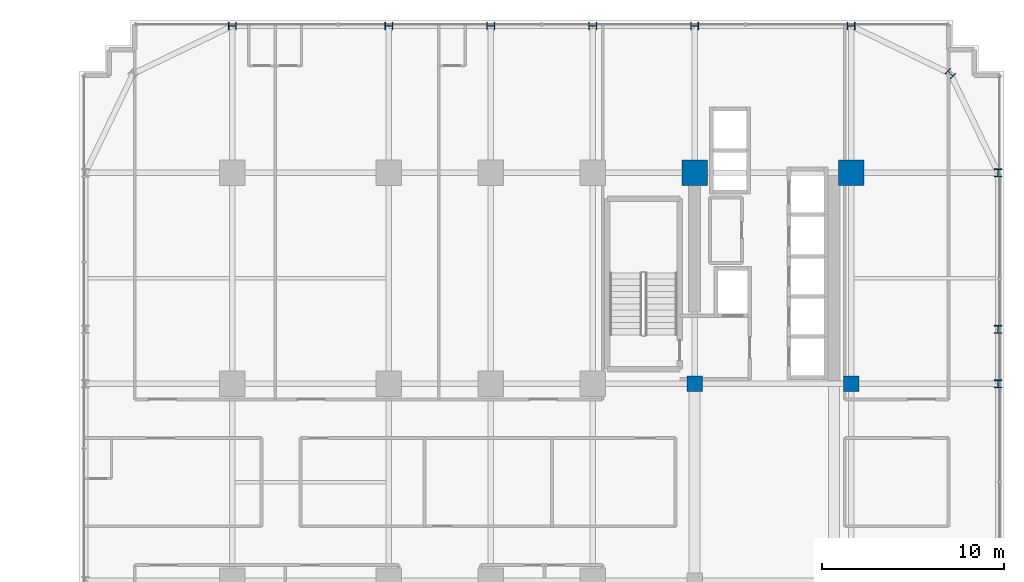
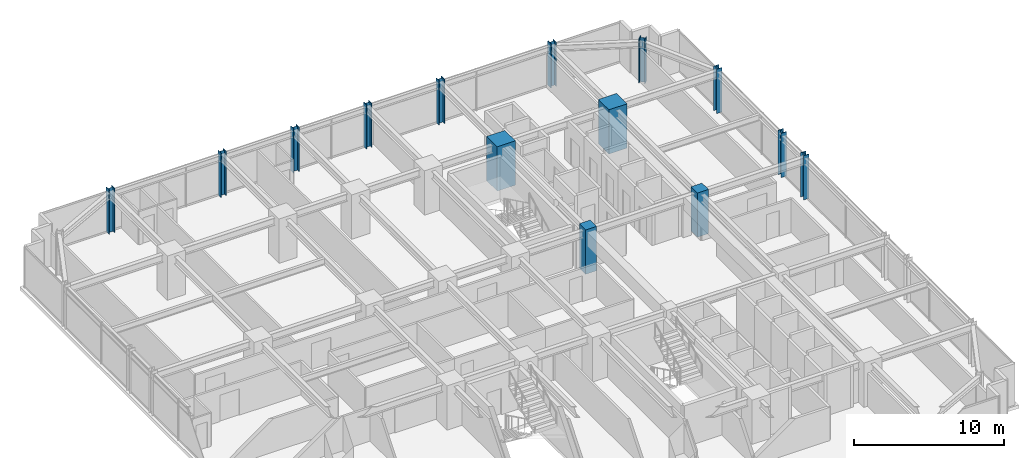
# One storey, part 2 of 37: 14 columns.
"""IFC4 building model written with IfcOpenShell, lengths in metres."""

from ifc_helpers import new_model, si_unit, direction, frame, origin, origin_2d, place, context, subcontext, project, spatial, rectangle, i_section, extrude, source, transform, mapped, material, material_profile, profile_set, type_object, element, save


model = new_model("IFC4")

# Units and contexts
model_context = context("Model", 3, precision=1e-05, world=origin(), true_north=direction((0.0, 1.0)))
body_context = subcontext(model_context, "Body", "Model", "MODEL_VIEW")
ifc_project = project(units=[si_unit("LENGTHUNIT", "METRE"), si_unit("AREAUNIT", "SQUARE_METRE"), si_unit("VOLUMEUNIT", "CUBIC_METRE"), si_unit("PLANEANGLEUNIT", "RADIAN"), si_unit("MASSUNIT", "GRAM", prefix="KILO")], contexts=[model_context])

# Site, building, storey
site_placement = place(None, origin())
site = spatial("IfcSite", under=ifc_project, at=site_placement, CompositionType="ELEMENT")
building_placement = place(site_placement, origin())
building = spatial("IfcBuilding", under=site, at=building_placement, Name="Nahalor Promenade Grand Hotel", CompositionType="ELEMENT")
storey_placement = place(building_placement, frame((0.0, 0.0, 36.050048828125)))
storey = spatial("IfcBuildingStorey", under=building, at=storey_placement, Name="L07", CompositionType="ELEMENT", Elevation=36.050048828125)

# Columns
ifc_material_1 = material(Name="Concrete B-70 (C60/75)", Category="concrete")
ifc_material_profile_1 = material_profile(ifc_material_1, rectangle(XDim=1.4, YDim=1.4, at=origin_2d()), Name="RC 1400x1400")
ifc_profile_set_1 = profile_set([ifc_material_profile_1], Name="Concrete B-70 (C60/75)")
column_type_1 = type_object("IfcColumnType", Name="Col-RC-1400", PredefinedType="COLUMN", material=ifc_profile_set_1)
shared_shape_1 = source(origin(), body_context, "Body", "SweptSolid", [
    extrude(rectangle(XDim=1.4, YDim=1.4, at=origin_2d()), origin(), (0.0, 0.0, 1.0), 3.60498046875),
])
for number, where, z_axis, x_axis, name in (
    (1, (8.39990234375, 17.0, 0.0), (0.0, 0.0, 1.0), (1.0, 0.0, 0.0), "COL-L07-I43"),
    (2, (17.0, 17.0, 0.0), (0.0, 0.0, 1.0), (1.0, 0.0, 0.0), "COL-L07-I53"),
):
    element("IfcColumn", number, at=place(storey_placement, frame(where, z_axis=z_axis, x_axis=x_axis)), inside=storey, type_object=column_type_1, Name=name, PredefinedType="COLUMN", context=body_context, shape_type="MappedRepresentation", body=[
        mapped(shared_shape_1, transform((0.0, 0.0, 0.0), scale=1.0)),
    ])
ifc_material_profile_2 = material_profile(ifc_material_1, rectangle(XDim=0.85, YDim=0.85, at=origin_2d()), Name="RC 850x850")
ifc_profile_set_2 = profile_set([ifc_material_profile_2], Name="Concrete B-70 (C60/75)")
column_type_2 = type_object("IfcColumnType", Name="Col-Pilaster-850", PredefinedType="PILASTER", material=ifc_profile_set_2)
shared_shape_2 = source(origin(), body_context, "Body", "SweptSolid", [
    extrude(rectangle(XDim=0.85, YDim=0.85, at=origin_2d()), origin(), (0.0, 0.0, 1.0), 3.60498046875),
])
for number, where, z_axis, x_axis, name in (
    (3, (8.39990234375, 5.39990234375, 0.0), (0.0, 0.0, 1.0), (1.0, 0.0, 0.0), "COL-L07-I42"),
    (4, (17.0, 5.39990234375, 0.0), (0.0, 0.0, 1.0), (1.0, 0.0, 0.0), "COL-L07-I52"),
):
    element("IfcColumn", number, at=place(storey_placement, frame(where, z_axis=z_axis, x_axis=x_axis)), inside=storey, type_object=column_type_2, Name=name, PredefinedType="PILASTER", context=body_context, shape_type="MappedRepresentation", body=[
        mapped(shared_shape_2, transform((0.0, 0.0, 0.0), scale=1.0)),
    ])
ifc_material_2 = material(Name="Steel S355J2", Category="steel")
ifc_material_profile_3 = material_profile(ifc_material_2, i_section(OverallWidth=0.412, OverallDepth=0.438, WebThickness=0.0226, FlangeThickness=0.0365, at=origin_2d()), Name="HD 400x463")
ifc_profile_set_3 = profile_set([ifc_material_profile_3], Name="Steel S355J2")
column_type_3 = type_object("IfcColumnType", Name="Col-Steel-HD463", PredefinedType="COLUMN", material=ifc_profile_set_3)
shared_shape_3 = source(origin(), body_context, "Body", "SweptSolid", [
    extrude(i_section(OverallWidth=0.412, OverallDepth=0.438, WebThickness=0.0226, FlangeThickness=0.0365, at=origin_2d()), origin(), (0.0, 0.0, 1.0), 3.60498046875),
])
for number, where, z_axis, x_axis, name in (
    (5, (25.080078125, 5.39990234375, 0.0), (0.0, 0.0, 1.0), (1.0, 0.0, 0.0), "COL-L07-PW-E3"),
    (6, (25.080078125, 8.39990234375, 0.0), (0.0, 0.0, 1.0), (1.0, 0.0, 0.0), "COL-L07-PW-E4"),
    (7, (25.080078125, 17.0, 0.0), (0.0, 0.0, 1.0), (1.0, 0.0, 0.0), "COL-L07-PW-E5"),
    (8, (-17.0, 25.080078125, 0.0), (0.0, 0.0, 1.0), (0.0, 1.0, 0.0), "COL-L07-PN-N0"),
    (9, (-8.39990234375, 25.080078125, 0.0), (0.0, 0.0, 1.0), (0.0, 1.0, 0.0), "COL-L07-PN-N1"),
    (10, (-2.800048828125, 25.080078125, 0.0), (0.0, 0.0, 1.0), (0.0, 1.0, 0.0), "COL-L07-PN-N2"),
    (11, (2.800048828125, 25.080078125, 0.0), (0.0, 0.0, 1.0), (0.0, 1.0, 0.0), "COL-L07-PN-N3"),
    (12, (8.39990234375, 25.080078125, 0.0), (0.0, 0.0, 1.0), (0.0, 1.0, 0.0), "COL-L07-PN-N4"),
    (13, (17.0, 25.080078125, 0.0), (0.0, 0.0, 1.0), (0.0, 1.0, 0.0), "COL-L07-PN-N5"),
    (14, (22.449951171875, 22.449951171875, 0.0), (0.0, 0.0, 1.0), (0.707106781187, 0.707106781187, 0.0), "COL-L07-CRN-NE"),
):
    element("IfcColumn", number, at=place(storey_placement, frame(where, z_axis=z_axis, x_axis=x_axis)), inside=storey, type_object=column_type_3, Name=name, PredefinedType="COLUMN", context=body_context, shape_type="MappedRepresentation", body=[
        mapped(shared_shape_3, transform((0.0, 0.0, 0.0), scale=1.0)),
    ])

save(model, "model.ifc")
